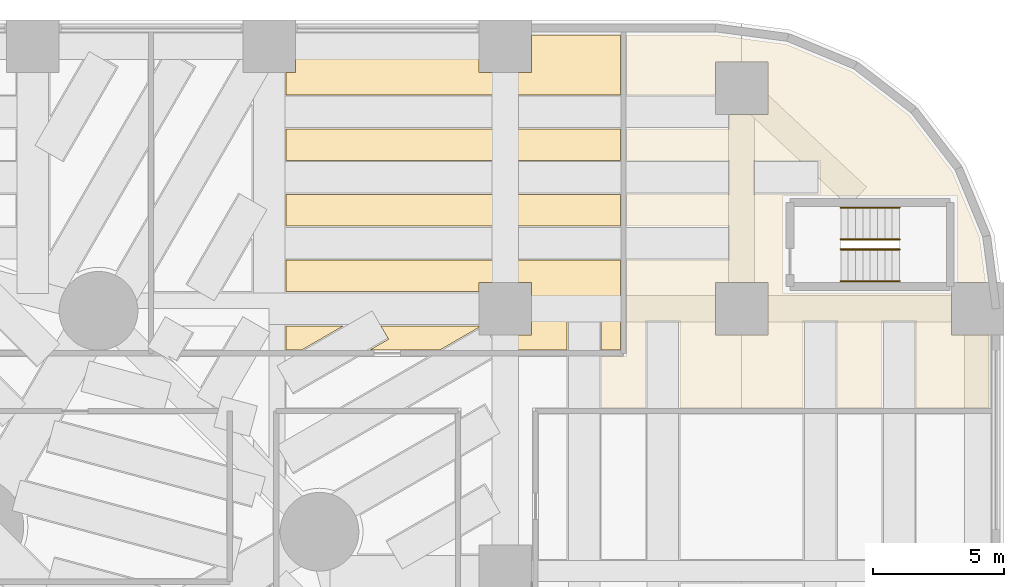
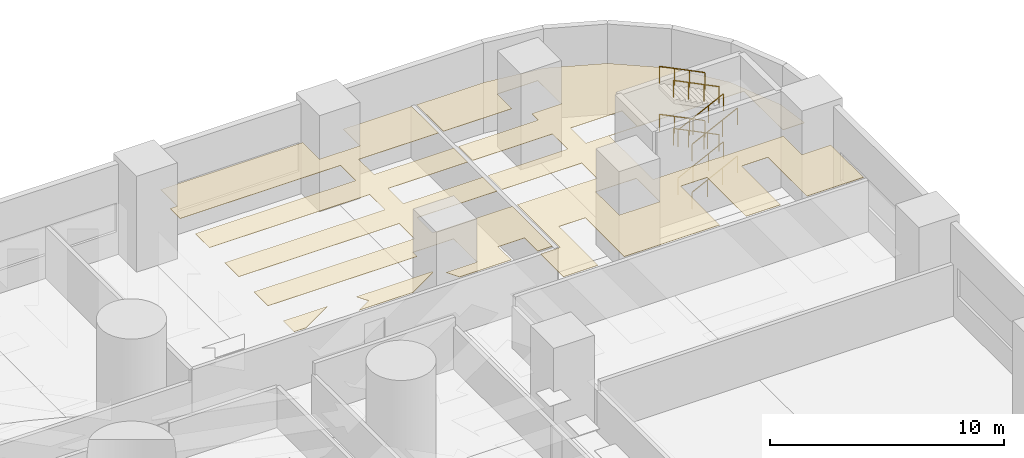
# One storey, part 17 of 17: 8 railings, 4 coverings.
"""IFC4 building model written with IfcOpenShell, lengths in metres."""

import ifcopenshell
import ifcopenshell.guid

model = None  # the IFC model being written
_history = None  # IfcOwnerHistory: only IFC2X3 demands one
_inside = {}  # id of a spatial element -> (the spatial element, [elements in it])
_under = {}  # id of a project, library or spatial element -> (it, [spatial elements below it])
_declared = {}  # id of a project -> (the project, [libraries it declares])
_typed = {}  # id of a type object -> (the type object, [elements of that type])
_made_of = {}  # id of a material, layer set ... -> (it, [elements and type objects made of it])


def new_model(schema):
    """Start an empty IFC model of exactly this schema.

    Asked for "IFC4X3", IfcOpenShell would pick the latest addendum, in which some entities
    have other attributes; the version numbers below select the first issue.
    IFC2X3 requires an IfcOwnerHistory on every rooted entity: one is made here for all.
    """
    global model, _history
    if schema == "IFC4X3":
        model = ifcopenshell.file(schema_version=(4, 3, 0, 0))
    else:
        model = ifcopenshell.file(schema=schema)
    _inside.clear()
    _under.clear()
    _declared.clear()
    _typed.clear()
    _made_of.clear()
    _history = None
    if model.schema == "IFC2X3":
        org = make("IfcOrganization", Name="unknown")
        user = make(
            "IfcPersonAndOrganization",
            ThePerson=make("IfcPerson", FamilyName="unknown"),
            TheOrganization=org,
        )
        app = make(
            "IfcApplication",
            ApplicationDeveloper=org,
            Version="unknown",
            ApplicationFullName="unknown",
            ApplicationIdentifier="unknown",
        )
        _history = make(
            "IfcOwnerHistory",
            OwningUser=user,
            OwningApplication=app,
            ChangeAction="ADDED",
            CreationDate=0,
        )
    return model


def make(cls, **values):
    """One entity of the class cls with the attributes given. An attribute that is None is left unset."""
    return model.create_entity(
        cls, **{name: value for name, value in values.items() if value is not None}
    )


def rooted(cls, **values):
    """An entity with a GlobalId (a new one), such as an element, a storey or a relation."""
    return make(cls, GlobalId=ifcopenshell.guid.new(), OwnerHistory=_history, **values)


def si_unit(unit_type, name, prefix=None):
    """IfcSIUnit, for example si_unit("LENGTHUNIT", "METRE", prefix="MILLI")."""
    return make("IfcSIUnit", UnitType=unit_type, Prefix=prefix, Name=name)


def assignment(units):
    """IfcUnitAssignment: the units of a project."""
    return None if units is None else make("IfcUnitAssignment", Units=units)


def point(xyz):
    """IfcCartesianPoint."""
    return None if xyz is None else make("IfcCartesianPoint", Coordinates=xyz)


def direction(xyz):
    """IfcDirection."""
    return None if xyz is None else make("IfcDirection", DirectionRatios=xyz)


def frame(location, z_axis=None, x_axis=None):
    """IfcAxis2Placement3D, a coordinate frame: its origin and axes. An axis left out is left unset."""
    return make(
        "IfcAxis2Placement3D",
        Location=point(location),
        Axis=direction(z_axis),
        RefDirection=direction(x_axis),
    )


def frame_2d(location, x_axis=None):
    """IfcAxis2Placement2D, a coordinate frame in the plane: its origin and x axis."""
    return make(
        "IfcAxis2Placement2D", Location=point(location), RefDirection=direction(x_axis)
    )


def origin():
    """The frame at (0, 0, 0) with its axes left unset."""
    return frame((0.0, 0.0, 0.0))


def origin_2d():
    """The frame at (0, 0) in the plane with its x axis left unset."""
    return frame_2d((0.0, 0.0))


def place(relative_to, where):
    """IfcLocalPlacement: puts the frame where relative to a parent placement (None: the world)."""
    return make(
        "IfcLocalPlacement", PlacementRelTo=relative_to, RelativePlacement=where
    )


def context(
    kind, dimensions, precision=None, world=None, true_north=None, identifier=None
):
    """IfcGeometricRepresentationContext, for example the 3D "Model" context."""
    return make(
        "IfcGeometricRepresentationContext",
        ContextIdentifier=identifier,
        ContextType=kind,
        CoordinateSpaceDimension=dimensions,
        Precision=precision,
        WorldCoordinateSystem=world,
        TrueNorth=true_north,
    )


def subcontext(parent, identifier, kind, view, scale=None):
    """IfcGeometricRepresentationSubContext, for example "Body" below "Model"."""
    return make(
        "IfcGeometricRepresentationSubContext",
        ContextIdentifier=identifier,
        ContextType=kind,
        ParentContext=parent,
        TargetScale=scale,
        TargetView=view,
    )


def project(units=None, contexts=None):
    """IfcProject with its units and contexts."""
    return rooted(
        "IfcProject",
        Name="project",
        RepresentationContexts=contexts,
        UnitsInContext=assignment(units),
    )


def spatial(cls, under=None, at=None, **own):
    """A site, building, storey or space (cls), placed at a placement, below another one or the project."""
    s = rooted(cls, ObjectPlacement=at, **own)
    if under is not None:
        _under.setdefault(under.id(), (under, []))[1].append(s)
    return s


def polyline(points):
    """IfcPolyline through the points."""
    return make("IfcPolyline", Points=[point(p) for p in points])


def profile(cls, at=None, kind="AREA", **sizes):
    """A parametric profile (cls). Its sizes go by their IFC names, for example OverallWidth=200.0."""
    return make(cls, ProfileType=kind, Position=at, **sizes)


def circle(**sizes):
    """IfcCircleProfileDef."""
    return profile("IfcCircleProfileDef", **sizes)


def outline(outer, holes=None, kind="AREA"):
    """IfcArbitraryClosedProfileDef: a profile drawn as a closed curve; with holes, ...WithVoids."""
    if holes is None:
        return make("IfcArbitraryClosedProfileDef", ProfileType=kind, OuterCurve=outer)
    return make(
        "IfcArbitraryProfileDefWithVoids",
        ProfileType=kind,
        OuterCurve=outer,
        InnerCurves=holes,
    )


def extrude(swept, where, along, depth):
    """IfcExtrudedAreaSolid: the profile swept, set in the frame where, extruded along a direction by depth."""
    return make(
        "IfcExtrudedAreaSolid",
        SweptArea=swept,
        Position=where,
        ExtrudedDirection=direction(along),
        Depth=depth,
    )


def shape(context_of_items, identifier, shape_type, items):
    """IfcShapeRepresentation: the items that make up one representation, for example the "Body"."""
    return make(
        "IfcShapeRepresentation",
        ContextOfItems=context_of_items,
        RepresentationIdentifier=identifier,
        RepresentationType=shape_type,
        Items=items,
    )


def material(Name=None, Category=None):
    """IfcMaterial."""
    return make("IfcMaterial", Name=Name, Category=Category)


def layer(
    of_material, thickness, ventilated=None, Name=None, Category=None, Priority=None
):
    """IfcMaterialLayer: one layer of a wall or slab, of a material (None: an air gap)."""
    return make(
        "IfcMaterialLayer",
        Material=of_material,
        LayerThickness=thickness,
        IsVentilated=ventilated,
        Name=Name,
        Category=Category,
        Priority=Priority,
    )


def layer_set(layers, Name=None):
    """IfcMaterialLayerSet."""
    return make("IfcMaterialLayerSet", MaterialLayers=layers, LayerSetName=Name)


def made_of(thing, what):
    """Note that an element or type object is made of a material, layer set ...; save() writes the relation."""
    if what is not None:
        _made_of.setdefault(what.id(), (what, []))[1].append(thing)
    return thing


def type_object(cls, material=None, **own):
    """A type object (cls), such as IfcWallType, which elements share."""
    return made_of(rooted(cls, **own), material)


def element(
    cls,
    number,
    at=None,
    inside=None,
    cuts=None,
    type_object=None,
    material=None,
    context=None,
    identifier="Body",
    shape_type=None,
    held_by="IfcProductDefinitionShape",
    body=None,
    shapes=None,
    **own,
):
    """One element of the class cls, such as IfcWall. Its Tag is "e" and its number.

    at: its placement. inside: the storey or other place that contains it. cuts: it is an
    opening in that element (IfcRelVoidsElement). A single representation is given by context,
    identifier, shape_type and body (its items); several are given by shapes. held_by: the class
    of the entity that holds the representations. save() writes the other relations.
    """
    e = rooted(cls, Tag="e%d" % number, ObjectPlacement=at, **own)
    if body is not None:
        shapes = [shape(context, identifier, shape_type, body)]
    if shapes is not None:
        e.Representation = make(held_by, Representations=shapes)
    if inside is not None:
        _inside.setdefault(inside.id(), (inside, []))[1].append(e)
    if cuts is not None:
        rooted(
            "IfcRelVoidsElement", RelatingBuildingElement=cuts, RelatedOpeningElement=e
        )
    if type_object is not None:
        _typed.setdefault(type_object.id(), (type_object, []))[1].append(e)
    return made_of(e, material)


def aggregate(whole, parts):
    """IfcRelAggregates: a whole, such as a stair, and the parts it consists of."""
    return rooted("IfcRelAggregates", RelatingObject=whole, RelatedObjects=parts)


def save(model, path):
    """Write the relations noted so far, then the file.

    IfcRelAggregates (storeys below a building ...), IfcRelContainedInSpatialStructure (elements
    in a storey), IfcRelDefinesByType, IfcRelAssociatesMaterial and IfcRelDeclares: one each for
    every whole, place, type object, material and project.
    """
    for whole, parts in _under.values():
        aggregate(whole, parts)
    for where, things in _inside.values():
        rooted(
            "IfcRelContainedInSpatialStructure",
            RelatedElements=things,
            RelatingStructure=where,
        )
    for kind, things in _typed.values():
        rooted("IfcRelDefinesByType", RelatedObjects=things, RelatingType=kind)
    for what, things in _made_of.values():
        rooted("IfcRelAssociatesMaterial", RelatedObjects=things, RelatingMaterial=what)
    for by, libraries in _declared.values():
        rooted("IfcRelDeclares", RelatingContext=by, RelatedDefinitions=libraries)
    model.write(path)


model = new_model("IFC4")

# Units and contexts
model_context = context("Model", 3, precision=1e-05, world=origin(), true_north=direction((0.0, 1.0)))
body_context = subcontext(model_context, "Body", "Model", "MODEL_VIEW")
ifc_project = project(units=[si_unit("LENGTHUNIT", "METRE"), si_unit("AREAUNIT", "SQUARE_METRE"), si_unit("VOLUMEUNIT", "CUBIC_METRE"), si_unit("PLANEANGLEUNIT", "RADIAN"), si_unit("MASSUNIT", "GRAM", prefix="KILO")], contexts=[model_context])

# Site, building, storey
site_placement = place(None, origin())
site = spatial("IfcSite", under=ifc_project, at=site_placement, CompositionType="ELEMENT")
building_placement = place(site_placement, origin())
building = spatial("IfcBuilding", under=site, at=building_placement, Name="Qaws Media Tower", CompositionType="ELEMENT")
storey_placement = place(building_placement, frame((0.0, 0.0, 15.0)))
storey = spatial("IfcBuildingStorey", under=building, at=storey_placement, Name="L02", CompositionType="ELEMENT", Elevation=15.0)

# Coverings
ifc_material_1 = material(Name="600 x 600 mineral fibre tiles in exposed grid, suspended", Category="mineral fibre")
ifc_layer = layer(ifc_material_1, 0.02001953125)
ifc_layer_set = layer_set([ifc_layer], Name="Mineral fibre tile ceiling 20")
covering_type = type_object("IfcCoveringType", Name="Mineral fibre tile ceiling 20", PredefinedType="CEILING", material=ifc_layer_set)
covering_1_placement = place(storey_placement, frame((0.0, 0.0, 2.719970703125)))
element("IfcCovering", 1, at=covering_1_placement, inside=storey, type_object=covering_type, Name="CL1 ceiling L02-00 Production foyer", PredefinedType="CEILING", context=body_context, shape_type="SweptSolid", body=[
    extrude(outline(polyline([(91.6201171875, 68.179931640625), (91.6201171875, 71.85009765625), (95.550048828125, 71.85009765625), (95.550048828125, 73.14990234375), (91.6201171875, 73.14990234375), (91.6201171875, 74.35009765625), (95.550048828125, 74.35009765625), (95.550048828125, 75.64990234375), (91.6201171875, 75.64990234375), (91.6201171875, 76.85009765625), (95.550048828125, 76.85009765625), (95.550048828125, 77.39990234375), (97.0, 77.39990234375), (97.0, 79.39990234375), (95.0, 79.39990234375), (95.0, 78.14990234375), (91.6201171875, 78.14990234375), (91.6201171875, 80.429931640625), (94.982421875, 80.429931640625), (97.698974609375, 80.072509765625), (100.2138671875, 79.030517578125), (102.37353515625, 77.37353515625), (104.030517578125, 75.2138671875), (105.072509765625, 72.698974609375), (105.2958984375, 71.0), (104.219970703125, 71.0), (104.219970703125, 74.320068359375), (97.580078125, 74.320068359375), (97.580078125, 70.580078125), (104.0, 70.580078125), (104.0, 69.0), (105.429931640625, 69.0), (105.429931640625, 66.219970703125), (102.64990234375, 66.219970703125), (102.64990234375, 69.550048828125), (101.35009765625, 69.550048828125), (101.35009765625, 66.219970703125), (99.64990234375, 66.219970703125), (99.64990234375, 69.550048828125), (98.35009765625, 69.550048828125), (98.35009765625, 66.219970703125), (93.64990234375, 66.219970703125), (93.64990234375, 69.550048828125), (92.35009765625, 69.550048828125), (92.35009765625, 66.219970703125), (90.64990234375, 66.219970703125), (90.64990234375, 68.179931640625), (91.6201171875, 68.179931640625)]), holes=[polyline([(97.0, 69.0), (97.0, 71.0), (95.0, 71.0), (95.0, 69.0), (97.0, 69.0)]), polyline([(96.449951171875, 75.64990234375), (96.449951171875, 74.35009765625), (98.9833984375, 74.35009765625), (98.9833984375, 75.64990234375), (96.449951171875, 75.64990234375)])]), origin(), (0.0, 0.0, 1.0), 0.02001953125),
])
covering_2_placement = place(storey_placement, frame((0.0, 0.0, 2.719970703125)))
element("IfcCovering", 2, at=covering_2_placement, inside=storey, type_object=covering_type, Name="CL1 ceiling L02-01 Apparatus room", PredefinedType="CEILING", context=body_context, shape_type="SweptSolid", body=[
    extrude(outline(polyline([(79.0, 79.0), (79.0, 80.429931640625), (86.0, 80.429931640625), (86.0, 79.0), (88.0, 79.0), (88.0, 80.429931640625), (91.3798828125, 80.429931640625), (91.3798828125, 78.14990234375), (87.449951171875, 78.14990234375), (87.449951171875, 76.85009765625), (91.3798828125, 76.85009765625), (91.3798828125, 75.64990234375), (87.449951171875, 75.64990234375), (87.449951171875, 74.35009765625), (91.3798828125, 74.35009765625), (91.3798828125, 73.14990234375), (87.449951171875, 73.14990234375), (87.449951171875, 71.85009765625), (91.3798828125, 71.85009765625), (91.3798828125, 68.419921875), (90.64990234375, 68.419921875), (90.64990234375, 69.550048828125), (89.35009765625, 69.550048828125), (89.35009765625, 68.419921875), (86.802734375, 68.419921875), (86.468017578125, 69.0), (88.0, 69.0), (88.0, 71.0), (86.0, 71.0), (86.0, 70.64990234375), (78.64990234375, 70.64990234375), (78.64990234375, 71.85009765625), (86.550048828125, 71.85009765625), (86.550048828125, 73.14990234375), (78.64990234375, 73.14990234375), (78.64990234375, 74.35009765625), (86.550048828125, 74.35009765625), (86.550048828125, 75.64990234375), (78.64990234375, 75.64990234375), (78.64990234375, 76.85009765625), (86.550048828125, 76.85009765625), (86.550048828125, 78.14990234375), (78.64990234375, 78.14990234375), (78.64990234375, 79.0), (79.0, 79.0)])), origin(), (0.0, 0.0, 1.0), 0.02001953125),
])
covering_3_placement = place(storey_placement, frame((0.0, 0.0, 2.719970703125)))
element("IfcCovering", 3, at=covering_3_placement, inside=storey, type_object=covering_type, Name="CL1 ceiling L02-01 Apparatus room", PredefinedType="CEILING", context=body_context, shape_type="SweptSolid", body=[
    extrude(outline(polyline([(81.827392578125, 68.419921875), (82.5498046875, 68.837158203125), (82.253662109375, 69.35009765625), (86.0, 69.35009765625), (86.0, 69.291015625), (84.49169921875, 68.419921875), (81.827392578125, 68.419921875)])), origin(), (0.0, 0.0, 1.0), 0.02001953125),
])
covering_4_placement = place(storey_placement, frame((0.0, 0.0, 2.719970703125)))
element("IfcCovering", 4, at=covering_4_placement, inside=storey, type_object=covering_type, Name="CL1 ceiling L02-01 Apparatus room", PredefinedType="CEILING", context=body_context, shape_type="SweptSolid", body=[
    extrude(outline(polyline([(78.64990234375, 68.419921875), (78.64990234375, 69.35009765625), (80.83837890625, 69.35009765625), (79.2275390625, 68.419921875), (78.64990234375, 68.419921875)])), origin(), (0.0, 0.0, 1.0), 0.02001953125),
])

# Railings
ifc_material_2 = material(Name="Steel tube handrail", Category="steel")
railing_type = type_object("IfcRailingType", Name="Stair handrail 900", PredefinedType="HANDRAIL", material=ifc_material_2)
for number, where, name in (
    (5, (99.780029296875, 71.050048828125, 0.138916015625), "HR1 handrail S4 flight 1 L02"),
    (6, (99.780029296875, 72.260009765625, 0.138916015625), "HR1 handrail S4 flight 1 L02"),
):
    element("IfcRailing", number, at=place(storey_placement, frame(where)), inside=storey, type_object=railing_type, Name=name, PredefinedType="HANDRAIL", context=body_context, shape_type="SweptSolid", body=[
        extrude(circle(Radius=0.02392578125, at=origin_2d()), frame((0.0, 0.0, 0.8759765625), z_axis=(0.895848192791, 0.0, 0.444360231651), x_axis=(0.0, 1.0, 0.0)), (0.0, 0.0, 1.0), 2.50048828125),
        extrude(circle(Radius=0.02099609375, at=origin_2d()), origin(), (0.0, 0.0, 1.0), 0.851806640625),
        extrude(circle(Radius=0.02099609375, at=origin_2d()), frame((0.74658203125, 0.0, 0.370361328125)), (0.0, 0.0, 1.0), 0.851806640625),
        extrude(circle(Radius=0.02099609375, at=origin_2d()), frame((1.493408203125, 0.0, 0.74072265625)), (0.0, 0.0, 1.0), 0.851806640625),
        extrude(circle(Radius=0.02099609375, at=origin_2d()), frame((2.239990234375, 0.0, 1.111083984375)), (0.0, 0.0, 1.0), 0.851806640625),
    ])
for number, where, name in (
    (7, (102.02001953125, 73.85009765625, 1.388916015625), "HR1 handrail S4 flight 2 L02"),
    (8, (102.02001953125, 72.639892578125, 1.388916015625), "HR1 handrail S4 flight 2 L02"),
):
    element("IfcRailing", number, at=place(storey_placement, frame(where)), inside=storey, type_object=railing_type, Name=name, PredefinedType="HANDRAIL", context=body_context, shape_type="SweptSolid", body=[
        extrude(circle(Radius=0.02392578125, at=origin_2d()), frame((0.0, 0.0, 0.8759765625), z_axis=(-0.895848192791, 0.0, 0.444360231651), x_axis=(0.0, -1.0, 0.0)), (0.0, 0.0, 1.0), 2.50048828125),
        extrude(circle(Radius=0.02099609375, at=origin_2d()), origin(), (0.0, 0.0, 1.0), 0.851806640625),
        extrude(circle(Radius=0.02099609375, at=origin_2d()), frame((-0.74658203125, 0.0, 0.370361328125)), (0.0, 0.0, 1.0), 0.851806640625),
        extrude(circle(Radius=0.02099609375, at=origin_2d()), frame((-1.493408203125, 0.0, 0.74072265625)), (0.0, 0.0, 1.0), 0.851806640625),
        extrude(circle(Radius=0.02099609375, at=origin_2d()), frame((-2.239990234375, 0.0, 1.111083984375)), (0.0, 0.0, 1.0), 0.851806640625),
    ])
for number, where, name in (
    (9, (99.780029296875, 71.050048828125, 2.638916015625), "HR1 handrail S4 flight 3 L02"),
    (10, (99.780029296875, 72.260009765625, 2.638916015625), "HR1 handrail S4 flight 3 L02"),
):
    element("IfcRailing", number, at=place(storey_placement, frame(where)), inside=storey, type_object=railing_type, Name=name, PredefinedType="HANDRAIL", context=body_context, shape_type="SweptSolid", body=[
        extrude(circle(Radius=0.02392578125, at=origin_2d()), frame((0.0, 0.0, 0.8759765625), z_axis=(0.895848192791, 0.0, 0.444360231651), x_axis=(0.0, 1.0, 0.0)), (0.0, 0.0, 1.0), 2.50048828125),
        extrude(circle(Radius=0.02099609375, at=origin_2d()), origin(), (0.0, 0.0, 1.0), 0.851806640625),
        extrude(circle(Radius=0.02099609375, at=origin_2d()), frame((0.74658203125, 0.0, 0.370361328125)), (0.0, 0.0, 1.0), 0.851806640625),
        extrude(circle(Radius=0.02099609375, at=origin_2d()), frame((1.493408203125, 0.0, 0.74072265625)), (0.0, 0.0, 1.0), 0.851806640625),
        extrude(circle(Radius=0.02099609375, at=origin_2d()), frame((2.239990234375, 0.0, 1.111083984375)), (0.0, 0.0, 1.0), 0.851806640625),
    ])
for number, where, name in (
    (11, (102.02001953125, 73.85009765625, 3.888916015625), "HR1 handrail S4 flight 4 L02"),
    (12, (102.02001953125, 72.639892578125, 3.888916015625), "HR1 handrail S4 flight 4 L02"),
):
    element("IfcRailing", number, at=place(storey_placement, frame(where)), inside=storey, type_object=railing_type, Name=name, PredefinedType="HANDRAIL", context=body_context, shape_type="SweptSolid", body=[
        extrude(circle(Radius=0.02392578125, at=origin_2d()), frame((0.0, 0.0, 0.8759765625), z_axis=(-0.895848192791, 0.0, 0.444360231651), x_axis=(0.0, -1.0, 0.0)), (0.0, 0.0, 1.0), 2.50048828125),
        extrude(circle(Radius=0.02099609375, at=origin_2d()), origin(), (0.0, 0.0, 1.0), 0.851806640625),
        extrude(circle(Radius=0.02099609375, at=origin_2d()), frame((-0.74658203125, 0.0, 0.370361328125)), (0.0, 0.0, 1.0), 0.851806640625),
        extrude(circle(Radius=0.02099609375, at=origin_2d()), frame((-1.493408203125, 0.0, 0.74072265625)), (0.0, 0.0, 1.0), 0.851806640625),
        extrude(circle(Radius=0.02099609375, at=origin_2d()), frame((-2.239990234375, 0.0, 1.111083984375)), (0.0, 0.0, 1.0), 0.851806640625),
    ])

save(model, "model.ifc")
